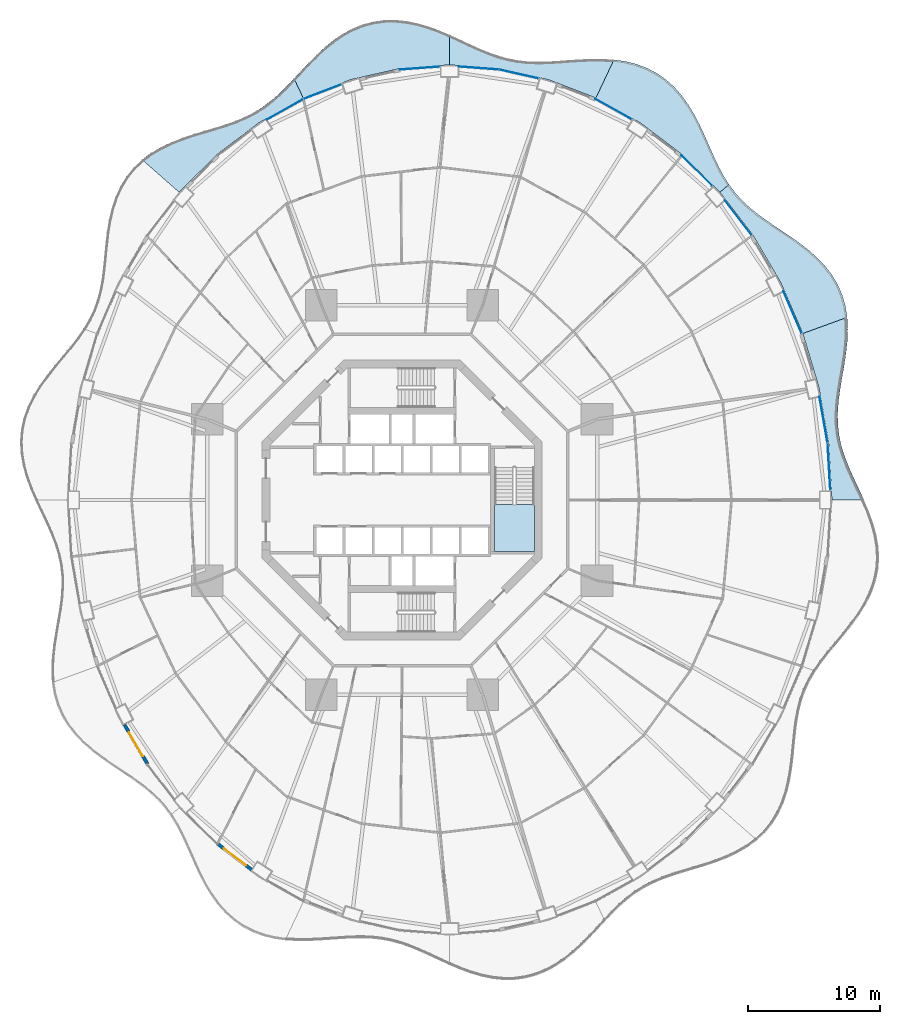
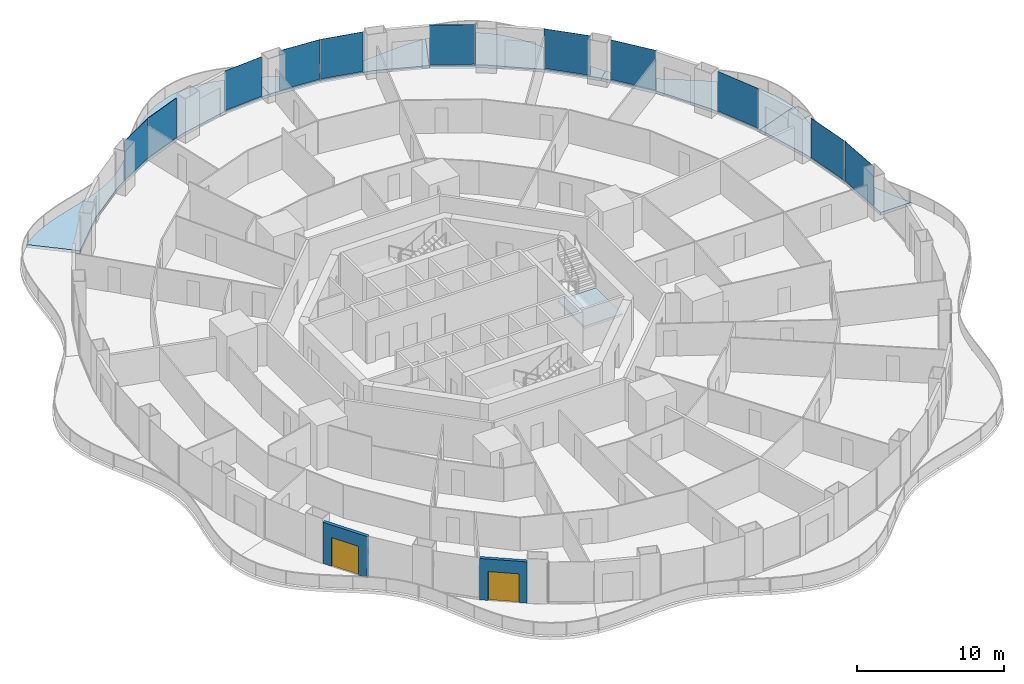
# One storey, part 13 of 22: 11 plates, 7 slabs, 2 doors, 2 walls, 2 openings, 12 elements without a shape of their own.
"""IFC4 building model written with IfcOpenShell, lengths in metres."""

from ifc_helpers import new_model, si_unit, direction, frame, frame_2d, origin, origin_2d, place, context, subcontext, project, spatial, polyline, rectangle, outline, extrude, material, layer, layer_set, type_object, element, fill, aggregate, save


model = new_model("IFC4")

# Units and contexts
model_context = context("Model", 3, precision=1e-05, world=origin(), true_north=direction((0.0, 1.0)))
body_context = subcontext(model_context, "Body", "Model", "MODEL_VIEW")
ifc_project = project(units=[si_unit("LENGTHUNIT", "METRE"), si_unit("AREAUNIT", "SQUARE_METRE"), si_unit("VOLUMEUNIT", "CUBIC_METRE"), si_unit("PLANEANGLEUNIT", "RADIAN"), si_unit("MASSUNIT", "GRAM", prefix="KILO")], contexts=[model_context])

# Site, building, storey
site_placement = place(None, origin())
site = spatial("IfcSite", under=ifc_project, at=site_placement, CompositionType="ELEMENT")
building_placement = place(site_placement, origin())
building = spatial("IfcBuilding", under=site, at=building_placement, Name="Nagisa Residences", CompositionType="ELEMENT")
storey_placement = place(building_placement, frame((0.0, 0.0, 38.10009765625)))
storey = spatial("IfcBuildingStorey", under=building, at=storey_placement, Name="L08", CompositionType="ELEMENT", Elevation=38.10009765625)

# Slabs
ifc_material_1 = material(Name="Concrete C40/50", Category="concrete")
ifc_layer_1 = layer(ifc_material_1, 0.25)
ifc_layer_set_1 = layer_set([ifc_layer_1], Name="BALCONY SLAB 250")
slab_type_1 = type_object("IfcSlabType", Name="BALCONY SLAB 250", PredefinedType="FLOOR", material=ifc_layer_set_1)
slab_1_placement = place(storey_placement, frame((0.0, 0.0, -0.25)))
element("IfcSlab", 1, at=slab_1_placement, inside=storey, type_object=slab_type_1, Name="slab:L08:bal00", PredefinedType="FLOOR", context=body_context, shape_type="SweptSolid", body=[
    extrude(outline(polyline([(35.028564453125, 0.0), (34.63232421875, 0.84912109375), (34.239013671875, 1.681884765625), (33.87353515625, 2.50146484375), (33.557373046875, 3.3115234375), (33.3076171875, 4.118408203125), (33.13525390625, 4.92822265625), (33.044921875, 5.747802734375), (33.033935546875, 6.58251953125), (33.0927734375, 7.43701171875), (33.20654296875, 8.3134765625), (33.354248046875, 9.2119140625), (33.512939453125, 10.12939453125), (33.656494140625, 11.060791015625), (33.759765625, 11.998291015625), (33.799072265625, 12.932373046875), (33.75390625, 13.85205078125), (30.392578125, 12.628662109375), (31.61181640625, 8.541015625), (32.351806640625, 4.307373046875), (32.60009765625, 0.0), (35.028564453125, 0.0)])), origin(), (0.0, 0.0, 1.0), 0.25),
])
slab_2_placement = place(storey_placement, frame((0.0, 0.0, -0.25)))
element("IfcSlab", 2, at=slab_2_placement, inside=storey, type_object=slab_type_1, Name="slab:L08:bal01", PredefinedType="FLOOR", context=body_context, shape_type="SweptSolid", body=[
    extrude(outline(polyline([(33.75390625, 13.85205078125), (33.615478515625, 14.7197265625), (33.37451171875, 15.554443359375), (33.028564453125, 16.347900390625), (32.580078125, 17.094482421875), (32.03759765625, 17.790283203125), (31.414306640625, 18.435791015625), (30.7275390625, 19.033447265625), (29.9970703125, 19.589599609375), (29.244384765625, 20.113525390625), (28.490234375, 20.616943359375), (27.754638671875, 21.11279296875), (27.053955078125, 21.614990234375), (26.401123046875, 22.136962890625), (25.80419921875, 22.691162109375), (25.266357421875, 23.287109375), (24.785400390625, 23.931396484375), (24.106201171875, 23.33447265625), (26.607177734375, 20.089111328125), (28.71484375, 16.5), (30.392578125, 12.628662109375), (33.75390625, 13.85205078125)])), origin(), (0.0, 0.0, 1.0), 0.25),
])
slab_3_placement = place(storey_placement, frame((0.0, 0.0, -0.25)))
element("IfcSlab", 3, at=slab_3_placement, inside=storey, type_object=slab_type_1, Name="slab:L08:bal02", PredefinedType="FLOOR", context=body_context, shape_type="SweptSolid", body=[
    extrude(outline(polyline([(24.785400390625, 23.931396484375), (24.373291015625, 24.592529296875), (23.9970703125, 25.29833984375), (23.644287109375, 26.04345703125), (23.30029296875, 26.819091796875), (22.950439453125, 27.613037109375), (22.57958984375, 28.41064453125), (22.17431640625, 29.19580078125), (21.722412109375, 29.951171875), (21.215087890625, 30.659912109375), (20.64697265625, 31.30615234375), (20.015380859375, 31.876708984375), (19.322265625, 32.361572265625), (18.57177734375, 32.754638671875), (17.772216796875, 33.053955078125), (16.9326171875, 33.2626953125), (16.064697265625, 33.38818359375), (14.69775390625, 30.488037109375), (18.10009765625, 28.578857421875), (21.254150390625, 26.1806640625), (24.106201171875, 23.33447265625), (24.785400390625, 23.931396484375)])), origin(), (0.0, 0.0, 1.0), 0.25),
])
slab_4_placement = place(storey_placement, frame((0.0, 0.0, -0.25)))
element("IfcSlab", 4, at=slab_4_placement, inside=storey, type_object=slab_type_1, Name="slab:L08:bal03", PredefinedType="FLOOR", context=body_context, shape_type="SweptSolid", body=[
    extrude(outline(polyline([(16.064697265625, 33.38818359375), (15.21240234375, 33.44140625), (14.354736328125, 33.441650390625), (13.501220703125, 33.4052734375), (12.65966796875, 33.349365234375), (11.835693359375, 33.29150390625), (11.033203125, 33.248779296875), (10.253173828125, 33.236328125), (9.494384765625, 33.266845703125), (8.753662109375, 33.349365234375), (8.02587890625, 33.4892578125), (7.3056640625, 33.68701171875), (6.5859375, 33.939208984375), (5.860595703125, 34.237060546875), (5.123779296875, 34.569091796875), (4.37109375, 34.919677734375), (3.60009765625, 35.271484375), (3.60009765625, 33.0), (7.38525390625, 32.7177734375), (11.105712890625, 31.87548828125), (14.69775390625, 30.488037109375), (16.064697265625, 33.38818359375)])), origin(), (0.0, 0.0, 1.0), 0.25),
])
slab_5_placement = place(storey_placement, frame((0.0, 0.0, -0.25)))
element("IfcSlab", 5, at=slab_5_placement, inside=storey, type_object=slab_type_1, Name="slab:L08:bal04", PredefinedType="FLOOR", context=body_context, shape_type="SweptSolid", body=[
    extrude(outline(polyline([(3.60009765625, 35.271484375), (2.8095703125, 35.60546875), (2.001220703125, 35.902587890625), (1.17822265625, 36.14453125), (0.345947265625, 36.315185546875), (-0.489013671875, 36.401123046875), (-1.319091796875, 36.392578125), (-2.136474609375, 36.28466796875), (-2.933837890625, 36.076171875), (-3.7041015625, 35.770751953125), (-4.4423828125, 35.37646484375), (-5.145751953125, 34.90478515625), (-5.8134765625, 34.370849609375), (-6.446533203125, 33.791259765625), (-7.0498046875, 33.184326171875), (-7.628662109375, 32.568115234375), (-8.191650390625, 31.9599609375), (-7.497802734375, 30.488037109375), (-3.90576171875, 31.87548828125), (-0.185302734375, 32.7177734375), (3.60009765625, 33.0), (3.60009765625, 35.271484375)])), origin(), (0.0, 0.0, 1.0), 0.25),
])
slab_6_placement = place(storey_placement, frame((0.0, 0.0, -0.25)))
element("IfcSlab", 6, at=slab_6_placement, inside=storey, type_object=slab_type_1, Name="slab:L08:bal05", PredefinedType="FLOOR", context=body_context, shape_type="SweptSolid", body=[
    extrude(outline(polyline([(-8.191650390625, 31.9599609375), (-8.7685546875, 31.354248046875), (-9.34912109375, 30.78759765625), (-9.944091796875, 30.270751953125), (-10.56298828125, 29.80908203125), (-11.2138671875, 29.404052734375), (-11.90185546875, 29.05224609375), (-12.629150390625, 28.746337890625), (-13.394287109375, 28.47509765625), (-14.192138671875, 28.224853515625), (-15.0146484375, 27.980224609375), (-15.8505859375, 27.72509765625), (-16.68603515625, 27.44384765625), (-17.506103515625, 27.1220703125), (-18.294921875, 26.74755859375), (-19.03759765625, 26.311279296875), (-19.719970703125, 25.807373046875), (-16.906005859375, 23.33447265625), (-14.05419921875, 26.1806640625), (-10.89990234375, 28.578857421875), (-7.497802734375, 30.488037109375), (-8.191650390625, 31.9599609375)])), origin(), (0.0, 0.0, 1.0), 0.25),
])

# Curtain wall, plate
ifc_material_2 = material(Name="Concrete-coloured aluminium curtain wall system", Category="concrete")
ifc_layer_2 = layer(ifc_material_2, 0.159912109375)
ifc_layer_set_2 = layer_set([ifc_layer_2], Name="CW1 CURTAIN WALL")
curtain_wall_type = type_object("IfcCurtainWallType", Name="CW1 CURTAIN WALL", PredefinedType="NOTDEFINED", material=ifc_layer_set_2)
curtain_wall_1_placement = place(storey_placement, origin())
curtain_wall_1 = element("IfcCurtainWall", 7, at=curtain_wall_1_placement, inside=storey, type_object=curtain_wall_type, Name="cw:CW1:L08:00", PredefinedType="NOTDEFINED")
ifc_material_3 = material(Name="Clear laminated glass", Category="glass")
ifc_layer_3 = layer(ifc_material_3, 0.028076171875)
ifc_layer_set_3 = layer_set([ifc_layer_3], Name="CW1 GLASS PANEL")
plate_type = type_object("IfcPlateType", Name="CW1 GLASS PANEL", PredefinedType="CURTAIN_PANEL", material=ifc_layer_set_3)
plate_1_placement = place(storey_placement, frame((32.374267578125, 2.528564453125, 0.14990234375), z_axis=(0.0, 0.0, 1.0), x_axis=(-0.057503492216, 0.998345305184, 0.0)))
plate_1 = element("IfcPlate", 8, at=plate_1_placement, type_object=plate_type, Name="CW1 panel", PredefinedType="CURTAIN_PANEL", context=body_context, shape_type="SweptSolid", body=[
    extrude(rectangle(XDim=3.554443359375, YDim=0.028076171875, at=origin_2d()), origin(), (0.0, 0.0, 1.0), 3.2900390625),
])
aggregate(curtain_wall_1, [plate_1])

curtain_wall_2_placement = place(storey_placement, origin())
curtain_wall_2 = element("IfcCurtainWall", 9, at=curtain_wall_2_placement, inside=storey, type_object=curtain_wall_type, Name="cw:CW1:L08:01", PredefinedType="NOTDEFINED")
plate_2_placement = place(storey_placement, frame((31.958251953125, 6.09521484375, 0.14990234375), z_axis=(0.0, 0.0, 1.0), x_axis=(-0.172190868898, 0.985063604377, 0.0)))
plate_2 = element("IfcPlate", 10, at=plate_2_placement, type_object=plate_type, Name="CW1 panel", PredefinedType="CURTAIN_PANEL", context=body_context, shape_type="SweptSolid", body=[
    extrude(rectangle(XDim=3.537841796875, YDim=0.028076171875, at=origin_2d()), origin(), (0.0, 0.0, 1.0), 3.2900390625),
])
aggregate(curtain_wall_2, [plate_2])

curtain_wall_3_placement = place(storey_placement, origin())
curtain_wall_3 = element("IfcCurtainWall", 11, at=curtain_wall_3_placement, inside=storey, type_object=curtain_wall_type, Name="cw:CW1:L08:03", PredefinedType="NOTDEFINED")
plate_3_placement = place(storey_placement, frame((29.607421875, 14.23876953125, 0.14990234375), z_axis=(0.0, 0.0, 1.0), x_axis=(-0.397635934147, 0.917543276295, 0.0)))
plate_3 = element("IfcPlate", 12, at=plate_3_placement, type_object=plate_type, Name="CW1 panel", PredefinedType="CURTAIN_PANEL", context=body_context, shape_type="SweptSolid", body=[
    extrude(rectangle(XDim=3.45947265625, YDim=0.028076171875, at=origin_2d()), origin(), (0.0, 0.0, 1.0), 3.2900390625),
])
aggregate(curtain_wall_3, [plate_3])

curtain_wall_4_placement = place(storey_placement, origin())
curtain_wall_4 = element("IfcCurtainWall", 13, at=curtain_wall_4_placement, inside=storey, type_object=curtain_wall_type, Name="cw:CW1:L08:05", PredefinedType="NOTDEFINED")
plate_4_placement = place(storey_placement, frame((25.488525390625, 21.409423828125, 0.14990234375), z_axis=(0.0, 0.0, 1.0), x_axis=(-0.610429828235, 0.792070340816, 0.0)))
plate_4 = element("IfcPlate", 14, at=plate_4_placement, type_object=plate_type, Name="CW1 panel", PredefinedType="CURTAIN_PANEL", context=body_context, shape_type="SweptSolid", body=[
    extrude(rectangle(XDim=3.33740234375, YDim=0.028076171875, at=origin_2d()), origin(), (0.0, 0.0, 1.0), 3.2900390625),
])
aggregate(curtain_wall_4, [plate_4])

curtain_wall_5_placement = place(storey_placement, origin())
curtain_wall_5 = element("IfcCurtainWall", 15, at=curtain_wall_5_placement, inside=storey, type_object=curtain_wall_type, Name="cw:CW1:L08:06", PredefinedType="NOTDEFINED")
plate_5_placement = place(storey_placement, frame((22.3544921875, 24.969482421875, 0.14990234375), z_axis=(0.0, 0.0, 1.0), x_axis=(-0.707835924016, 0.706376885714, 0.0)))
plate_5 = element("IfcPlate", 16, at=plate_5_placement, type_object=plate_type, Name="CW1 panel", PredefinedType="CURTAIN_PANEL", context=body_context, shape_type="SweptSolid", body=[
    extrude(rectangle(XDim=3.269287109375, YDim=0.028076171875, at=origin_2d()), origin(), (0.0, 0.0, 1.0), 3.2900390625),
])
aggregate(curtain_wall_5, [plate_5])

curtain_wall_6_placement = place(storey_placement, origin())
curtain_wall_6 = element("IfcCurtainWall", 17, at=curtain_wall_6_placement, inside=storey, type_object=curtain_wall_type, Name="cw:CW1:L08:08", PredefinedType="NOTDEFINED")
plate_6_placement = place(storey_placement, frame((16.0283203125, 29.649658203125, 0.14990234375), z_axis=(0.0, 0.0, 1.0), x_axis=(-0.872072377523, 0.489376918501, 0.0)))
plate_6 = element("IfcPlate", 18, at=plate_6_placement, type_object=plate_type, Name="CW1 panel", PredefinedType="CURTAIN_PANEL", context=body_context, shape_type="SweptSolid", body=[
    extrude(rectangle(XDim=3.141357421875, YDim=0.028076171875, at=origin_2d()), origin(), (0.0, 0.0, 1.0), 3.2900390625),
])
aggregate(curtain_wall_6, [plate_6])

curtain_wall_7_placement = place(storey_placement, origin())
curtain_wall_7 = element("IfcCurtainWall", 19, at=curtain_wall_7_placement, inside=storey, type_object=curtain_wall_type, Name="cw:CW1:L08:10", PredefinedType="NOTDEFINED")
plate_7_placement = place(storey_placement, frame((8.857177734375, 32.302490234375, 0.14990234375), z_axis=(0.0, 0.0, 1.0), x_axis=(-0.975327274089, 0.2207639201, 0.0)))
plate_7 = element("IfcPlate", 20, at=plate_7_placement, type_object=plate_type, Name="CW1 panel", PredefinedType="CURTAIN_PANEL", context=body_context, shape_type="SweptSolid", body=[
    extrude(rectangle(XDim=3.0546875, YDim=0.028076171875, at=origin_2d()), origin(), (0.0, 0.0, 1.0), 3.2900390625),
])
aggregate(curtain_wall_7, [plate_7])

curtain_wall_8_placement = place(storey_placement, origin())
curtain_wall_8 = element("IfcCurtainWall", 21, at=curtain_wall_8_placement, inside=storey, type_object=curtain_wall_type, Name="cw:CW1:L08:11", PredefinedType="NOTDEFINED")
plate_8_placement = place(storey_placement, frame((5.805908203125, 32.75537109375, 0.14990234375), z_axis=(0.0, 0.0, 1.0), x_axis=(-0.997230168512, 0.074377355493, 0.0)))
plate_8 = element("IfcPlate", 22, at=plate_8_placement, type_object=plate_type, Name="CW1 panel", PredefinedType="CURTAIN_PANEL", context=body_context, shape_type="SweptSolid", body=[
    extrude(rectangle(XDim=3.035888671875, YDim=0.028076171875, at=origin_2d()), origin(), (0.0, 0.0, 1.0), 3.2900390625),
])
aggregate(curtain_wall_8, [plate_8])

curtain_wall_9_placement = place(storey_placement, origin())
curtain_wall_9 = element("IfcCurtainWall", 23, at=curtain_wall_9_placement, inside=storey, type_object=curtain_wall_type, Name="cw:CW1:L08:12", PredefinedType="NOTDEFINED")
plate_9_placement = place(storey_placement, frame((1.33447265625, 32.750732421875, 0.14990234375), z_axis=(0.0, 0.0, 1.0), x_axis=(-0.997230168512, -0.074377355493, 0.0)))
plate_9 = element("IfcPlate", 24, at=plate_9_placement, type_object=plate_type, Name="CW1 panel", PredefinedType="CURTAIN_PANEL", context=body_context, shape_type="SweptSolid", body=[
    extrude(rectangle(XDim=3.035888671875, YDim=0.028076171875, at=origin_2d()), origin(), (0.0, 0.0, 1.0), 3.2900390625),
])
aggregate(curtain_wall_9, [plate_9])

curtain_wall_10_placement = place(storey_placement, origin())
curtain_wall_10 = element("IfcCurtainWall", 25, at=curtain_wall_10_placement, inside=storey, type_object=curtain_wall_type, Name="cw:CW1:L08:14", PredefinedType="NOTDEFINED")
plate_10_placement = place(storey_placement, frame((-6.02734375, 30.97021484375, 0.14990234375), z_axis=(0.0, 0.0, 1.0), x_axis=(-0.932825759707, -0.360327770268, 0.0)))
plate_10 = element("IfcPlate", 26, at=plate_10_placement, type_object=plate_type, Name="CW1 panel", PredefinedType="CURTAIN_PANEL", context=body_context, shape_type="SweptSolid", body=[
    extrude(rectangle(XDim=3.0908203125, YDim=0.028076171875, at=origin_2d()), origin(), (0.0, 0.0, 1.0), 3.2900390625),
])
aggregate(curtain_wall_10, [plate_10])

curtain_wall_11_placement = place(storey_placement, origin())
curtain_wall_11 = element("IfcCurtainWall", 27, at=curtain_wall_11_placement, inside=storey, type_object=curtain_wall_type, Name="cw:CW1:L08:15", PredefinedType="NOTDEFINED")
plate_11_placement = place(storey_placement, frame((-8.880615234375, 29.620361328125, 0.14990234375), z_axis=(0.0, 0.0, 1.0), x_axis=(-0.872072377523, -0.489376918501, 0.0)))
plate_11 = element("IfcPlate", 28, at=plate_11_placement, type_object=plate_type, Name="CW1 panel", PredefinedType="CURTAIN_PANEL", context=body_context, shape_type="SweptSolid", body=[
    extrude(rectangle(XDim=3.141357421875, YDim=0.028076171875, at=origin_2d()), origin(), (0.0, 0.0, 1.0), 3.2900390625),
])
aggregate(curtain_wall_11, [plate_11])

# Stair, slab
ifc_material_4 = material(Name="Concrete C60", Category="concrete")
stair_type = type_object("IfcStairType", Name="Exit stair", PredefinedType="HALF_TURN_STAIR", material=ifc_material_4)
stair_placement = place(storey_placement, origin())
stair = element("IfcStair", 29, at=stair_placement, inside=storey, type_object=stair_type, Name="L08 Exit stair E", PredefinedType="HALF_TURN_STAIR")
ifc_material_5 = material(Name="Concrete C60", Category="concrete")
ifc_layer_4 = layer(ifc_material_5, 0.199951171875)
ifc_layer_set_4 = layer_set([ifc_layer_4], Name="Stair landing")
slab_type_2 = type_object("IfcSlabType", Name="Stair landing", PredefinedType="LANDING", material=ifc_layer_set_4)
slab_7_placement = place(storey_placement, frame((0.0, 0.0, 1.64990234375)))
slab_7 = element("IfcSlab", 30, at=slab_7_placement, type_object=slab_type_2, Name="ST-E landing 1", PredefinedType="LANDING", context=body_context, shape_type="SweptSolid", body=[
    extrude(outline(polyline([(7.024658203125, -0.324951171875), (7.024658203125, -3.89990234375), (10.024658203125, -3.89990234375), (10.024658203125, -0.324951171875), (7.024658203125, -0.324951171875)])), origin(), (0.0, 0.0, 1.0), 0.199951171875),
])
aggregate(stair, [slab_7])

# Wall, opening, door
ifc_material_6 = material(Name="Precast concrete C40/50", Category="concrete")
ifc_layer_5 = layer(ifc_material_6, 0.25)
ifc_layer_set_5 = layer_set([ifc_layer_5], Name="BALCONY DOOR WALL 250")
wall_type = type_object("IfcWallType", Name="BALCONY DOOR WALL 250", PredefinedType="SOLIDWALL", material=ifc_layer_set_5)
wall_1_placement = place(storey_placement, frame((-19.299560546875, -20.02587890625, 0.0), z_axis=(0.0, 0.0, 1.0), x_axis=(-0.506311160839, 0.862350861546, 0.0)))
wall_1 = element("IfcWall", 31, at=wall_1_placement, inside=storey, type_object=wall_type, Name="wall:L08:bay28", PredefinedType="SOLIDWALL", context=body_context, shape_type="SweptSolid", body=[
    extrude(rectangle(XDim=3.462158203125, YDim=0.25, at=frame_2d((1.73095703125, 0.0))), origin(), (0.0, 0.0, 1.0), 3.43994140625),
])
opening_1_placement = place(wall_1_placement, frame((0.68115234375, 0.0, 0.0)))
opening_1 = element("IfcOpeningElement", 32, at=opening_1_placement, cuts=wall_1, Name="Opening BD-L08-10", PredefinedType="OPENING", context=body_context, shape_type="SweptSolid", body=[
    extrude(rectangle(XDim=2.10009765625, YDim=2.39990234375, at=frame_2d((1.050048828125, 1.199951171875))), frame((0.0, 0.135009765625, 0.0), z_axis=(0.0, -1.0, 0.0), x_axis=(1.0, 0.0, 0.0)), (0.0, 0.0, 1.0), 0.27001953125),
])
ifc_material_7 = material(Name="Aluminium and clear glass", Category="aluminium")
door_type = type_object("IfcDoorType", Name="BALCONY SLIDING DOOR 2100x2400", OperationType="SLIDING_TO_LEFT", PredefinedType="DOOR", material=ifc_material_7)
door_1_placement = place(opening_1_placement, origin())
door_1 = element("IfcDoor", 33, at=door_1_placement, inside=storey, type_object=door_type, Name="door:L08:bay28", OperationType="SLIDING_TO_LEFT", OverallHeight=2.39990234375, OverallWidth=2.10009765625, PredefinedType="DOOR", context=body_context, shape_type="SweptSolid", body=[
    extrude(rectangle(XDim=2.10009765625, YDim=2.39990234375, at=frame_2d((1.050048828125, 1.199951171875))), frame((0.0, 0.02490234375, 0.0), z_axis=(0.0, -1.0, 0.0), x_axis=(1.0, 0.0, 0.0)), (0.0, 0.0, 1.0), 0.050048828125),
])
fill(opening_1, door_1)

wall_2_placement = place(storey_placement, frame((-11.381591796875, -28.0556640625, 0.0), z_axis=(0.0, 0.0, 1.0), x_axis=(-0.796022293214, 0.605267303517, 0.0)))
wall_2 = element("IfcWall", 34, at=wall_2_placement, inside=storey, type_object=wall_type, Name="wall:L08:bay31", PredefinedType="SOLIDWALL", context=body_context, shape_type="SweptSolid", body=[
    extrude(rectangle(XDim=3.262451171875, YDim=0.25, at=frame_2d((1.63134765625, 0.0))), origin(), (0.0, 0.0, 1.0), 3.43994140625),
])
opening_2_placement = place(wall_2_placement, frame((0.5810546875, 0.0, 0.0)))
opening_2 = element("IfcOpeningElement", 35, at=opening_2_placement, cuts=wall_2, Name="Opening BD-L08-11", PredefinedType="OPENING", context=body_context, shape_type="SweptSolid", body=[
    extrude(rectangle(XDim=2.10009765625, YDim=2.39990234375, at=frame_2d((1.050048828125, 1.199951171875))), frame((0.0, 0.135009765625, 0.0), z_axis=(0.0, -1.0, 0.0), x_axis=(1.0, 0.0, 0.0)), (0.0, 0.0, 1.0), 0.27001953125),
])
door_2_placement = place(opening_2_placement, origin())
door_2 = element("IfcDoor", 36, at=door_2_placement, inside=storey, type_object=door_type, Name="door:L08:bay31", OperationType="SLIDING_TO_LEFT", OverallHeight=2.39990234375, OverallWidth=2.10009765625, PredefinedType="DOOR", context=body_context, shape_type="SweptSolid", body=[
    extrude(rectangle(XDim=2.10009765625, YDim=2.39990234375, at=frame_2d((1.050048828125, 1.199951171875))), frame((0.0, 0.02490234375, 0.0), z_axis=(0.0, -1.0, 0.0), x_axis=(1.0, 0.0, 0.0)), (0.0, 0.0, 1.0), 0.050048828125),
])
fill(opening_2, door_2)

save(model, "model.ifc")
